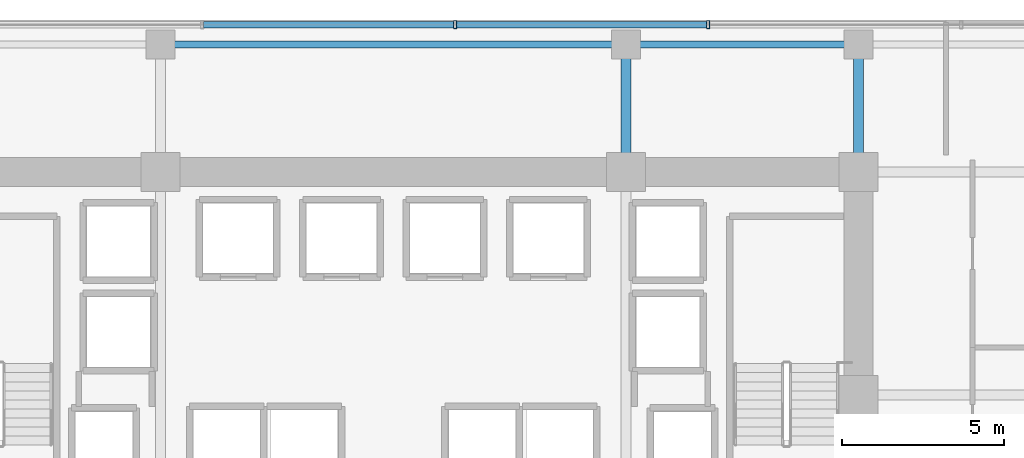
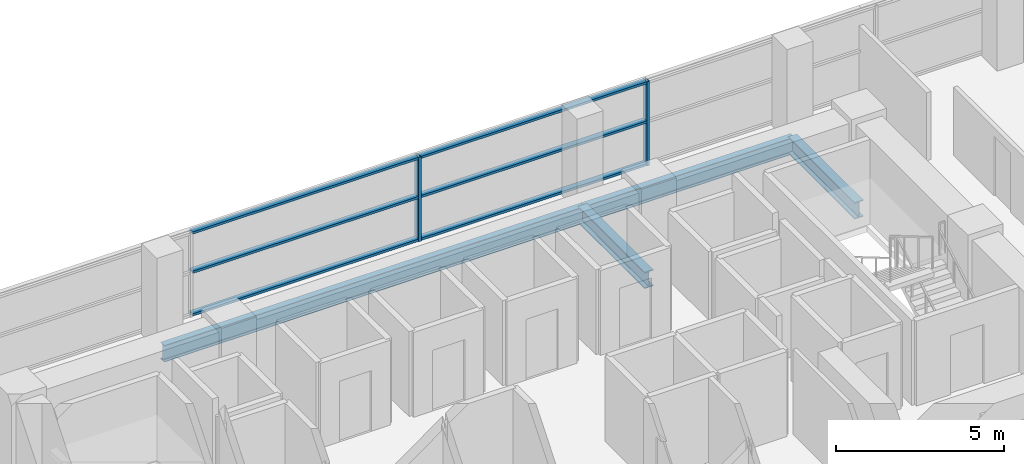
# One storey, part 18 of 30: 8 members, 4 beams, 1 element without a shape of its own.
"""IFC4 building model written with IfcOpenShell, lengths in metres."""

from ifc_helpers import new_model, si_unit, direction, frame, origin, origin_2d, place, context, subcontext, project, spatial, hollow_rectangle, i_section, extrude, source, transform, mapped, material, layer, layer_set, material_profile, profile_set, type_object, element, aggregate, save


model = new_model("IFC4")

# Units and contexts
model_context = context("Model", 3, precision=1e-05, world=origin(), true_north=direction((0.0, 1.0)))
body_context = subcontext(model_context, "Body", "Model", "MODEL_VIEW")
ifc_project = project(units=[si_unit("LENGTHUNIT", "METRE"), si_unit("AREAUNIT", "SQUARE_METRE"), si_unit("VOLUMEUNIT", "CUBIC_METRE"), si_unit("PLANEANGLEUNIT", "RADIAN"), si_unit("MASSUNIT", "GRAM", prefix="KILO")], contexts=[model_context])

# Site, building, storey
site_placement = place(None, origin())
site = spatial("IfcSite", under=ifc_project, at=site_placement, CompositionType="ELEMENT")
building_placement = place(site_placement, origin())
building = spatial("IfcBuilding", under=site, at=building_placement, Name="Zarnakvel Exchange Tower", CompositionType="ELEMENT")
storey_placement = place(building_placement, frame((0.0, 0.0, 50.5)))
storey = spatial("IfcBuildingStorey", under=building, at=storey_placement, Name="L13", CompositionType="ELEMENT", Elevation=50.5)

# Beams
ifc_material_1 = material(Name="Steel S355", Category="steel")
ifc_material_profile_1 = material_profile(ifc_material_1, i_section(OverallWidth=0.300048828125, OverallDepth=0.60009765625, WebThickness=0.015380859375, FlangeThickness=0.030029296875, FilletRadius=0.027099609375, at=origin_2d()))
ifc_profile_set_1 = profile_set([ifc_material_profile_1], Name="Steel S355")
beam_type_1 = type_object("IfcBeamType", Name="G-04", PredefinedType="BEAM", material=ifc_profile_set_1)
for number, where, z_axis, x_axis, name in (
    (1, (7.199951171875, 13.5, -0.52490234375), (0.0, 1.0, 0.0), (-1.0, 0.0, 0.0), "L13 Tower N-S Frame Beam"),
    (2, (14.39990234375, 13.5, -0.52490234375), (0.0, 1.0, 0.0), (-1.0, 0.0, 0.0), "L13 Tower N-S Frame Beam"),
):
    element("IfcBeam", number, at=place(storey_placement, frame(where, z_axis=z_axis, x_axis=x_axis)), inside=storey, type_object=beam_type_1, Name=name, PredefinedType="BEAM", context=body_context, shape_type="SweptSolid", body=[
        extrude(i_section(OverallWidth=0.300048828125, OverallDepth=0.60009765625, WebThickness=0.015380859375, FlangeThickness=0.030029296875, FilletRadius=0.027099609375, at=origin_2d()), origin(), (0.0, 0.0, 1.0), 3.949951171875),
    ])
ifc_material_profile_2 = material_profile(ifc_material_1, i_section(OverallWidth=0.219970703125, OverallDepth=0.60009765625, WebThickness=0.011962890625, FlangeThickness=0.01904296875, FilletRadius=0.02392578125, at=origin_2d()))
ifc_profile_set_2 = profile_set([ifc_material_profile_2], Name="Steel S355")
beam_type_2 = type_object("IfcBeamType", Name="SP-01", PredefinedType="SPANDREL", material=ifc_profile_set_2)
beam_1_placement = place(storey_placement, frame((-7.199951171875, 17.449951171875, -0.52490234375), z_axis=(1.0, 0.0, 0.0), x_axis=(0.0, 1.0, 0.0)))
element("IfcBeam", 3, at=beam_1_placement, inside=storey, type_object=beam_type_2, Name="L13 Tower E-W Frame Beam", PredefinedType="SPANDREL", context=body_context, shape_type="SweptSolid", body=[
    extrude(i_section(OverallWidth=0.219970703125, OverallDepth=0.60009765625, WebThickness=0.011962890625, FlangeThickness=0.01904296875, FilletRadius=0.02392578125, at=origin_2d()), origin(), (0.0, 0.0, 1.0), 14.39990234375),
])
beam_2_placement = place(storey_placement, frame((7.199951171875, 17.449951171875, -0.52490234375), z_axis=(1.0, 0.0, 0.0), x_axis=(0.0, 1.0, 0.0)))
element("IfcBeam", 4, at=beam_2_placement, inside=storey, type_object=beam_type_2, Name="L13 Tower E-W Frame Beam", PredefinedType="SPANDREL", context=body_context, shape_type="SweptSolid", body=[
    extrude(i_section(OverallWidth=0.219970703125, OverallDepth=0.60009765625, WebThickness=0.011962890625, FlangeThickness=0.01904296875, FilletRadius=0.02392578125, at=origin_2d()), origin(), (0.0, 0.0, 1.0), 7.199951171875),
])

# Curtain wall, members
ifc_material_2 = material(Name="Architectural Bronze Anodised Aluminium", Category="aluminium")
ifc_layer = layer(ifc_material_2, 0.239990234375)
ifc_layer_set = layer_set([ifc_layer], Name="Architectural Bronze Anodised Aluminium")
curtain_wall_type = type_object("IfcCurtainWallType", Name="CW-02", PredefinedType="NOTDEFINED", material=ifc_layer_set)
curtain_wall_placement = place(storey_placement, origin())
curtain_wall = element("IfcCurtainWall", 5, at=curtain_wall_placement, inside=storey, type_object=curtain_wall_type, Name="L13 Curtain Wall CW-L13-N1 (CW-02)", PredefinedType="NOTDEFINED")
ifc_material_profile_3 = material_profile(ifc_material_2, hollow_rectangle(XDim=0.199951171875, YDim=0.0849609375, WallThickness=0.0048828125, at=origin_2d()))
ifc_profile_set_3 = profile_set([ifc_material_profile_3], Name="Architectural Bronze Anodised Aluminium")
member_type_1 = type_object("IfcMemberType", Name="CWT-02", PredefinedType="USERDEFINED", material=ifc_profile_set_3)
shared_shape_1 = source(origin(), body_context, "Body", "SweptSolid", [
    extrude(hollow_rectangle(XDim=0.199951171875, YDim=0.0849609375, WallThickness=0.0048828125, at=origin_2d()), origin(), (0.0, 0.0, 1.0), 7.738525390625),
])
member_1_placement = place(storey_placement, frame((1.959228515625, 18.06005859375, 0.04248046875), z_axis=(1.0, 0.0, 0.0), x_axis=(0.0, 1.0, 0.0)))
member_1 = element("IfcMember", 6, at=member_1_placement, type_object=member_type_1, Name="CW-02 transom 5.1", ObjectType="TRANSOM", PredefinedType="USERDEFINED", context=body_context, shape_type="MappedRepresentation", body=[
    mapped(shared_shape_1, transform((0.0, 0.0, 0.0), x_axis=(1.0, 0.0, 0.0), y_axis=(0.0, 1.0, 0.0), z_axis=(0.0, 0.0, 1.0), scale=1.0)),
])
member_2_placement = place(storey_placement, frame((1.959228515625, 18.06005859375, 1.588623046875), z_axis=(1.0, 0.0, 0.0), x_axis=(0.0, 1.0, 0.0)))
member_2 = element("IfcMember", 7, at=member_2_placement, type_object=member_type_1, Name="CW-02 transom 5.2", ObjectType="TRANSOM", PredefinedType="USERDEFINED", context=body_context, shape_type="MappedRepresentation", body=[
    mapped(shared_shape_1, transform((0.0, 0.0, 0.0), x_axis=(1.0, 0.0, 0.0), y_axis=(0.0, 1.0, 0.0), z_axis=(0.0, 0.0, 1.0), scale=1.0)),
])
member_3_placement = place(storey_placement, frame((1.959228515625, 18.06005859375, 3.012451171875), z_axis=(1.0, 0.0, 0.0), x_axis=(0.0, 1.0, 0.0)))
member_3 = element("IfcMember", 8, at=member_3_placement, type_object=member_type_1, Name="CW-02 transom 5.3", ObjectType="TRANSOM", PredefinedType="USERDEFINED", context=body_context, shape_type="MappedRepresentation", body=[
    mapped(shared_shape_1, transform((0.0, 0.0, 0.0), x_axis=(1.0, 0.0, 0.0), y_axis=(0.0, 1.0, 0.0), z_axis=(0.0, 0.0, 1.0), scale=1.0)),
])
shared_shape_2 = source(origin(), body_context, "Body", "SweptSolid", [
    extrude(hollow_rectangle(XDim=0.199951171875, YDim=0.0849609375, WallThickness=0.0048828125, at=origin_2d()), origin(), (0.0, 0.0, 1.0), 7.73876953125),
])
member_4_placement = place(storey_placement, frame((-5.869384765625, 18.06005859375, 0.04248046875), z_axis=(1.0, 0.0, 0.0), x_axis=(0.0, 1.0, 0.0)))
member_4 = element("IfcMember", 9, at=member_4_placement, type_object=member_type_1, Name="CW-02 transom 4.1", ObjectType="TRANSOM", PredefinedType="USERDEFINED", context=body_context, shape_type="MappedRepresentation", body=[
    mapped(shared_shape_2, transform((0.0, 0.0, 0.0), x_axis=(1.0, 0.0, 0.0), y_axis=(0.0, 1.0, 0.0), z_axis=(0.0, 0.0, 1.0), scale=1.0)),
])
member_5_placement = place(storey_placement, frame((-5.869384765625, 18.06005859375, 1.588623046875), z_axis=(1.0, 0.0, 0.0), x_axis=(0.0, 1.0, 0.0)))
member_5 = element("IfcMember", 10, at=member_5_placement, type_object=member_type_1, Name="CW-02 transom 4.2", ObjectType="TRANSOM", PredefinedType="USERDEFINED", context=body_context, shape_type="MappedRepresentation", body=[
    mapped(shared_shape_2, transform((0.0, 0.0, 0.0), x_axis=(1.0, 0.0, 0.0), y_axis=(0.0, 1.0, 0.0), z_axis=(0.0, 0.0, 1.0), scale=1.0)),
])
member_6_placement = place(storey_placement, frame((-5.869384765625, 18.06005859375, 3.012451171875), z_axis=(1.0, 0.0, 0.0), x_axis=(0.0, 1.0, 0.0)))
member_6 = element("IfcMember", 11, at=member_6_placement, type_object=member_type_1, Name="CW-02 transom 4.3", ObjectType="TRANSOM", PredefinedType="USERDEFINED", context=body_context, shape_type="MappedRepresentation", body=[
    mapped(shared_shape_2, transform((0.0, 0.0, 0.0), x_axis=(1.0, 0.0, 0.0), y_axis=(0.0, 1.0, 0.0), z_axis=(0.0, 0.0, 1.0), scale=1.0)),
])
ifc_material_profile_4 = material_profile(ifc_material_2, hollow_rectangle(XDim=0.239990234375, YDim=0.090087890625, WallThickness=0.006103515625, at=origin_2d()))
ifc_profile_set_4 = profile_set([ifc_material_profile_4], Name="Architectural Bronze Anodised Aluminium")
member_type_2 = type_object("IfcMemberType", Name="CWM-02", PredefinedType="MULLION", material=ifc_profile_set_4)
shared_shape_3 = source(origin(), body_context, "Body", "SweptSolid", [
    extrude(hollow_rectangle(XDim=0.239990234375, YDim=0.090087890625, WallThickness=0.006103515625, at=origin_2d()), origin(), (0.0, 0.0, 1.0), 3.054931640625),
])
member_7_placement = place(storey_placement, frame((1.914306640625, 18.06005859375, 0.0), z_axis=(0.0, 0.0, 1.0), x_axis=(0.0, 1.0, 0.0)))
member_7 = element("IfcMember", 12, at=member_7_placement, type_object=member_type_2, Name="CW-02 mullion 5", PredefinedType="MULLION", context=body_context, shape_type="MappedRepresentation", body=[
    mapped(shared_shape_3, transform((0.0, 0.0, 0.0), x_axis=(1.0, 0.0, 0.0), y_axis=(0.0, 1.0, 0.0), z_axis=(0.0, 0.0, 1.0), scale=1.0)),
])
member_8_placement = place(storey_placement, frame((9.742919921875, 18.06005859375, 0.0), z_axis=(0.0, 0.0, 1.0), x_axis=(0.0, 1.0, 0.0)))
member_8 = element("IfcMember", 13, at=member_8_placement, type_object=member_type_2, Name="CW-02 mullion 6", PredefinedType="MULLION", context=body_context, shape_type="MappedRepresentation", body=[
    mapped(shared_shape_3, transform((0.0, 0.0, 0.0), x_axis=(1.0, 0.0, 0.0), y_axis=(0.0, 1.0, 0.0), z_axis=(0.0, 0.0, 1.0), scale=1.0)),
])
aggregate(curtain_wall, [member_7, member_8, member_4, member_5, member_6, member_1, member_2, member_3])

save(model, "model.ifc")
